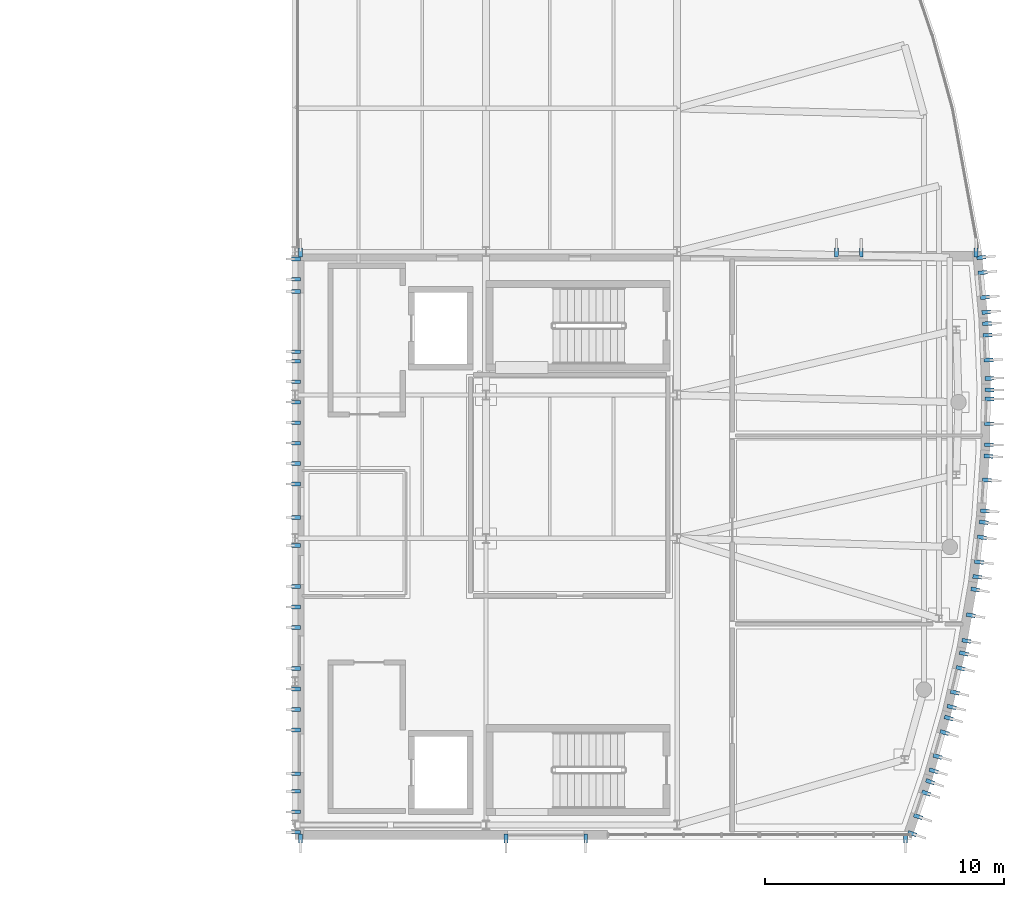
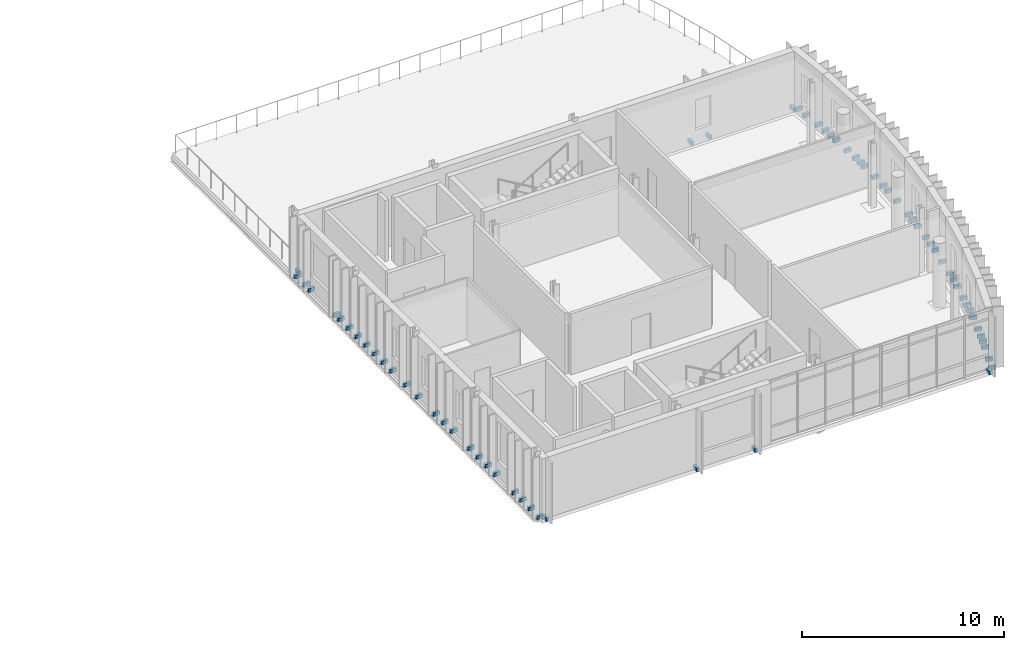
# One storey, part 33 of 40: 66 discrete accessories.
"""IFC4 building model written with IfcOpenShell, lengths in metres."""

from ifc_helpers import new_model, si_unit, direction, frame, origin, origin_2d, place, context, subcontext, project, spatial, rectangle, extrude, material, type_object, element, save


model = new_model("IFC4")

# Units and contexts
model_context = context("Model", 3, precision=1e-05, world=origin(), true_north=direction((0.0, 1.0)))
body_context = subcontext(model_context, "Body", "Model", "MODEL_VIEW")
ifc_project = project(units=[si_unit("LENGTHUNIT", "METRE"), si_unit("AREAUNIT", "SQUARE_METRE"), si_unit("VOLUMEUNIT", "CUBIC_METRE"), si_unit("PLANEANGLEUNIT", "RADIAN"), si_unit("MASSUNIT", "GRAM", prefix="KILO")], contexts=[model_context])

# Site, building, storey
site_placement = place(None, origin())
site = spatial("IfcSite", under=ifc_project, at=site_placement, CompositionType="ELEMENT")
building_placement = place(site_placement, origin())
building = spatial("IfcBuilding", under=site, at=building_placement, Name="Cymarion Research Institute", CompositionType="ELEMENT")
storey_placement = place(building_placement, frame((0.0, 0.0, 26.699951171875)))
storey = spatial("IfcBuildingStorey", under=building, at=storey_placement, Name="L06", CompositionType="ELEMENT", Elevation=26.699951171875)

# Discrete accessories
ifc_material = material(Name="Steel S355", Category="steel")
discrete_accessory_type = type_object("IfcDiscreteAccessoryType", Name="STAINLESS STEEL FACADE FIN BRACKET FBK1", PredefinedType="BRACKET", material=ifc_material)
for number, where, z_axis, x_axis, name in (
    (1, (138.840087890625, 4.93994140625, -0.08984375), (0.0, 0.0, 1.0), (0.0, -1.0, 0.0), "L06 V1 precast fin anchor bracket #601"),
    (2, (147.430908203125, 4.93994140625, -0.08984375), (0.0, 0.0, 1.0), (0.0, -1.0, 0.0), "L06 V1 precast fin anchor bracket #602"),
    (3, (150.77099609375, 4.93994140625, -0.08984375), (0.0, 0.0, 1.0), (0.0, -1.0, 0.0), "L06 V1 precast fin anchor bracket #603"),
    (4, (164.159912109375, 4.93994140625, -0.08984375), (0.0, 0.0, 1.0), (0.0, -1.0, 0.0), "L06 V1 precast fin anchor bracket #604"),
    (5, (164.440673828125, 5.139892578125, -0.08984375), (0.0, 0.0, 1.0), (0.945120113509, -0.326723080054, 0.0), "L06 V1 precast fin anchor bracket #605"),
    (6, (164.6875, 5.85400390625, -0.08984375), (0.0, 0.0, 1.0), (0.945120113509, -0.326723080054, 0.0), "L06 V1 precast fin anchor bracket #606"),
    (7, (165.02734375, 6.8369140625, -0.08984375), (0.0, 0.0, 1.0), (0.945120113509, -0.326723080054, 0.0), "L06 V1 precast fin anchor bracket #607"),
    (8, (165.19189453125, 7.31298828125, -0.08984375), (0.0, 0.0, 1.0), (0.945120113509, -0.326723080054, 0.0), "L06 V1 precast fin anchor bracket #608"),
    (9, (165.3359375, 7.768310546875, -0.08984375), (0.0, 0.0, 1.0), (0.961213573504, -0.275805123434, 0.0), "L06 V1 precast fin anchor bracket #609"),
    (10, (165.508056640625, 8.3681640625, -0.08984375), (0.0, 0.0, 1.0), (0.961213573504, -0.275805123434, 0.0), "L06 V1 precast fin anchor bracket #610"),
    (11, (165.794921875, 9.367919921875, -0.08984375), (0.0, 0.0, 1.0), (0.961213573504, -0.275805123434, 0.0), "L06 V1 precast fin anchor bracket #611"),
    (12, (165.97021484375, 9.978515625, -0.08984375), (0.0, 0.0, 1.0), (0.961213573504, -0.275805123434, 0.0), "L06 V1 precast fin anchor bracket #612"),
    (13, (166.089599609375, 10.44091796875, -0.08984375), (0.0, 0.0, 1.0), (0.974566000575, -0.224100670509, 0.0), "L06 V1 precast fin anchor bracket #613"),
    (14, (166.2294921875, 11.049072265625, -0.08984375), (0.0, 0.0, 1.0), (0.974566000575, -0.224100670509, 0.0), "L06 V1 precast fin anchor bracket #614"),
    (15, (166.46240234375, 12.062744140625, -0.08984375), (0.0, 0.0, 1.0), (0.974566000575, -0.224100670509, 0.0), "L06 V1 precast fin anchor bracket #615"),
    (16, (166.604736328125, 12.681640625, -0.08984375), (0.0, 0.0, 1.0), (0.974566000575, -0.224100670509, 0.0), "L06 V1 precast fin anchor bracket #616"),
    (17, (166.709716796875, 13.208984375, -0.08984375), (0.0, 0.0, 1.0), (0.985139318439, -0.171757163649, 0.0), "L06 V1 precast fin anchor bracket #617"),
    (18, (166.896728515625, 14.282470703125, -0.08984375), (0.0, 0.0, 1.0), (0.985139318439, -0.171757163649, 0.0), "L06 V1 precast fin anchor bracket #618"),
    (19, (167.083740234375, 15.35595703125, -0.08984375), (0.0, 0.0, 1.0), (0.985139318439, -0.171757163649, 0.0), "L06 V1 precast fin anchor bracket #619"),
    (20, (167.16357421875, 15.8876953125, -0.08984375), (0.0, 0.0, 1.0), (0.992924116831, -0.118750571435, 0.0), "L06 V1 precast fin anchor bracket #620"),
    (21, (167.237548828125, 16.507080078125, -0.08984375), (0.0, 0.0, 1.0), (0.992924116831, -0.118750571435, 0.0), "L06 V1 precast fin anchor bracket #621"),
    (22, (167.361083984375, 17.539794921875, -0.08984375), (0.0, 0.0, 1.0), (0.992924116831, -0.118750571435, 0.0), "L06 V1 precast fin anchor bracket #622"),
    (23, (167.436767578125, 18.170654296875, -0.08984375), (0.0, 0.0, 1.0), (0.992924116831, -0.118750571435, 0.0), "L06 V1 precast fin anchor bracket #623"),
    (24, (167.480712890625, 18.646240234375, -0.08984375), (0.0, 0.0, 1.0), (0.997847493041, -0.06557728747, 0.0), "L06 V1 precast fin anchor bracket #624"),
    (25, (167.565673828125, 19.9404296875, -0.08984375), (0.0, 0.0, 1.0), (0.997847493041, -0.06557728747, 0.0), "L06 V1 precast fin anchor bracket #625"),
    (26, (167.631591796875, 20.940673828125, -0.08984375), (0.0, 0.0, 1.0), (0.997847493041, -0.06557728747, 0.0), "L06 V1 precast fin anchor bracket #626"),
    (27, (167.64990234375, 21.41796875, -0.08984375), (0.0, 0.0, 1.0), (0.99992536966, -0.012217000835, 0.0), "L06 V1 precast fin anchor bracket #627"),
    (28, (167.660888671875, 22.2978515625, -0.08984375), (0.0, 0.0, 1.0), (0.99992536966, -0.012217000835, 0.0), "L06 V1 precast fin anchor bracket #628"),
    (29, (167.673583984375, 23.337646484375, -0.08984375), (0.0, 0.0, 1.0), (0.99992536966, -0.012217000835, 0.0), "L06 V1 precast fin anchor bracket #629"),
    (30, (167.677978515625, 23.716796875, -0.08984375), (0.0, 0.0, 1.0), (0.99992536966, -0.012217000835, 0.0), "L06 V1 precast fin anchor bracket #630"),
    (31, (167.671142578125, 24.194580078125, -0.08984375), (0.0, 0.0, 1.0), (0.999144619181, 0.041352508522, 0.0), "L06 V1 precast fin anchor bracket #631"),
    (32, (167.639404296875, 24.96484375, -0.08984375), (0.0, 0.0, 1.0), (0.999144619181, 0.041352508522, 0.0), "L06 V1 precast fin anchor bracket #632"),
    (33, (167.596435546875, 26.00390625, -0.08984375), (0.0, 0.0, 1.0), (0.999144619181, 0.041352508522, 0.0), "L06 V1 precast fin anchor bracket #633"),
    (34, (167.576171875, 26.49169921875, -0.08984375), (0.0, 0.0, 1.0), (0.999144619181, 0.041352508522, 0.0), "L06 V1 precast fin anchor bracket #634"),
    (35, (167.543701171875, 26.96826171875, -0.08984375), (0.0, 0.0, 1.0), (0.995512553138, 0.09462957542, 0.0), "L06 V1 precast fin anchor bracket #635"),
    (36, (167.48486328125, 27.589599609375, -0.08984375), (0.0, 0.0, 1.0), (0.995512553138, 0.09462957542, 0.0), "L06 V1 precast fin anchor bracket #636"),
    (37, (167.386474609375, 28.625, -0.08984375), (0.0, 0.0, 1.0), (0.995512553138, 0.09462957542, 0.0), "L06 V1 precast fin anchor bracket #637"),
    (38, (167.326416015625, 29.25732421875, -0.08984375), (0.0, 0.0, 1.0), (0.995512553138, 0.09462957542, 0.0), "L06 V1 precast fin anchor bracket #638"),
    (39, (167.103515625, 29.4599609375, -0.08984375), (0.0, 0.0, 1.0), (0.0, 1.0, 0.0), "L06 V1 precast fin anchor bracket #639"),
    (40, (162.307861328125, 29.4599609375, -0.08984375), (0.0, 0.0, 1.0), (0.0, 1.0, 0.0), "L06 V1 precast fin anchor bracket #640"),
    (41, (161.267822265625, 29.4599609375, -0.08984375), (0.0, 0.0, 1.0), (0.0, 1.0, 0.0), "L06 V1 precast fin anchor bracket #641"),
    (42, (138.840087890625, 29.4599609375, -0.08984375), (0.0, 0.0, 1.0), (0.0, 1.0, 0.0), "L06 V1 precast fin anchor bracket #642"),
    (43, (138.639892578125, 29.199951171875, -0.08984375), (0.0, 0.0, 1.0), (-1.0, 0.0, 0.0), "L06 V1 precast fin anchor bracket #643"),
    (44, (138.639892578125, 28.343017578125, -0.08984375), (0.0, 0.0, 1.0), (-1.0, 0.0, 0.0), "L06 V1 precast fin anchor bracket #644"),
    (45, (138.639892578125, 27.833984375, -0.08984375), (0.0, 0.0, 1.0), (-1.0, 0.0, 0.0), "L06 V1 precast fin anchor bracket #645"),
    (46, (138.639892578125, 25.31396484375, -0.08984375), (0.0, 0.0, 1.0), (-1.0, 0.0, 0.0), "L06 V1 precast fin anchor bracket #646"),
    (47, (138.639892578125, 24.914306640625, -0.08984375), (0.0, 0.0, 1.0), (-1.0, 0.0, 0.0), "L06 V1 precast fin anchor bracket #647"),
    (48, (138.639892578125, 24.05712890625, -0.08984375), (0.0, 0.0, 1.0), (-1.0, 0.0, 0.0), "L06 V1 precast fin anchor bracket #648"),
    (49, (138.639892578125, 23.199951171875, -0.08984375), (0.0, 0.0, 1.0), (-1.0, 0.0, 0.0), "L06 V1 precast fin anchor bracket #649"),
    (50, (138.639892578125, 22.343017578125, -0.08984375), (0.0, 0.0, 1.0), (-1.0, 0.0, 0.0), "L06 V1 precast fin anchor bracket #650"),
    (51, (138.639892578125, 21.485595703125, -0.08984375), (0.0, 0.0, 1.0), (-1.0, 0.0, 0.0), "L06 V1 precast fin anchor bracket #651"),
    (52, (138.639892578125, 20.628662109375, -0.08984375), (0.0, 0.0, 1.0), (-1.0, 0.0, 0.0), "L06 V1 precast fin anchor bracket #652"),
    (53, (138.639892578125, 19.771484375, -0.08984375), (0.0, 0.0, 1.0), (-1.0, 0.0, 0.0), "L06 V1 precast fin anchor bracket #653"),
    (54, (138.639892578125, 18.3798828125, -0.08984375), (0.0, 0.0, 1.0), (-1.0, 0.0, 0.0), "L06 V1 precast fin anchor bracket #654"),
    (55, (138.639892578125, 17.199951171875, -0.08984375), (0.0, 0.0, 1.0), (-1.0, 0.0, 0.0), "L06 V1 precast fin anchor bracket #655"),
    (56, (138.639892578125, 15.485595703125, -0.08984375), (0.0, 0.0, 1.0), (-1.0, 0.0, 0.0), "L06 V1 precast fin anchor bracket #656"),
    (57, (138.639892578125, 14.628662109375, -0.08984375), (0.0, 0.0, 1.0), (-1.0, 0.0, 0.0), "L06 V1 precast fin anchor bracket #657"),
    (58, (138.639892578125, 13.771484375, -0.08984375), (0.0, 0.0, 1.0), (-1.0, 0.0, 0.0), "L06 V1 precast fin anchor bracket #658"),
    (59, (138.639892578125, 12.05712890625, -0.08984375), (0.0, 0.0, 1.0), (-1.0, 0.0, 0.0), "L06 V1 precast fin anchor bracket #659"),
    (60, (138.639892578125, 11.199951171875, -0.08984375), (0.0, 0.0, 1.0), (-1.0, 0.0, 0.0), "L06 V1 precast fin anchor bracket #660"),
    (61, (138.639892578125, 10.343017578125, -0.08984375), (0.0, 0.0, 1.0), (-1.0, 0.0, 0.0), "L06 V1 precast fin anchor bracket #661"),
    (62, (138.639892578125, 9.485595703125, -0.08984375), (0.0, 0.0, 1.0), (-1.0, 0.0, 0.0), "L06 V1 precast fin anchor bracket #662"),
    (63, (138.639892578125, 7.64990234375, -0.08984375), (0.0, 0.0, 1.0), (-1.0, 0.0, 0.0), "L06 V1 precast fin anchor bracket #663"),
    (64, (138.639892578125, 6.914306640625, -0.08984375), (0.0, 0.0, 1.0), (-1.0, 0.0, 0.0), "L06 V1 precast fin anchor bracket #664"),
    (65, (138.639892578125, 6.05712890625, -0.08984375), (0.0, 0.0, 1.0), (-1.0, 0.0, 0.0), "L06 V1 precast fin anchor bracket #665"),
    (66, (138.639892578125, 5.199951171875, -0.08984375), (0.0, 0.0, 1.0), (-1.0, 0.0, 0.0), "L06 V1 precast fin anchor bracket #666"),
):
    element("IfcDiscreteAccessory", number, at=place(storey_placement, frame(where, z_axis=z_axis, x_axis=x_axis)), inside=storey, type_object=discrete_accessory_type, Name=name, PredefinedType="BRACKET", context=body_context, shape_type="SweptSolid", body=[
        extrude(rectangle(XDim=0.3798828125, YDim=0.159912109375, at=origin_2d()), origin(), (0.0, 0.0, 1.0), 0.219970703125),
    ])

save(model, "model.ifc")
